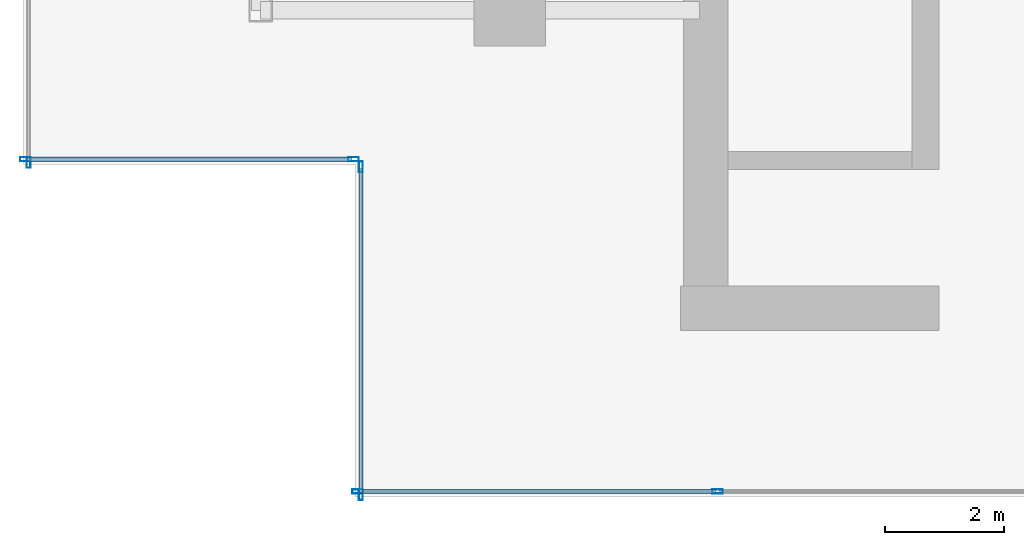
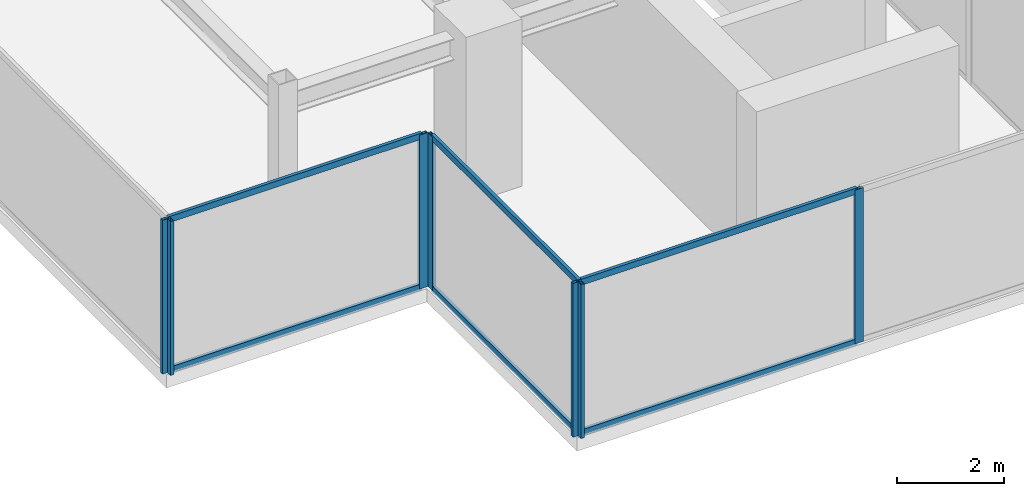
# One storey, part 2 of 25: 13 members, 4 elements without a shape of their own.
"""IFC4 building model written with IfcOpenShell, lengths in metres."""

from ifc_helpers import new_model, si_unit, direction, frame, origin, origin_2d, place, context, subcontext, project, spatial, hollow_rectangle, extrude, source, transform, mapped, material, material_profile, profile_set, type_object, type_shapes, element, aggregate, save


model = new_model("IFC4")

# Units and contexts
model_context = context("Model", 3, precision=1e-05, world=origin(), true_north=direction((0.0, 1.0)))
body_context = subcontext(model_context, "Body", "Model", "MODEL_VIEW")
ifc_project = project(units=[si_unit("LENGTHUNIT", "METRE"), si_unit("AREAUNIT", "SQUARE_METRE"), si_unit("VOLUMEUNIT", "CUBIC_METRE"), si_unit("PLANEANGLEUNIT", "RADIAN"), si_unit("MASSUNIT", "GRAM", prefix="KILO")], contexts=[model_context])

# Site, building, storey
site_placement = place(None, origin())
site = spatial("IfcSite", under=ifc_project, at=site_placement, CompositionType="ELEMENT")
building_placement = place(site_placement, origin())
building = spatial("IfcBuilding", under=site, at=building_placement, Name="Krantzveldt Concourse Tower", CompositionType="ELEMENT")
storey_placement = place(building_placement, frame((0.0, 0.0, 367.050048828125)))
storey = spatial("IfcBuildingStorey", under=building, at=storey_placement, Name="L90", CompositionType="ELEMENT", Elevation=367.050048828125)

# Curtain wall, members
ifc_material = material(Name="Anodised aluminium 6063-T6", Category="aluminium")
curtain_wall_type = type_object("IfcCurtainWallType", Name="CW7", PredefinedType="USERDEFINED", material=ifc_material)
curtain_wall_1_placement = place(storey_placement, origin())
curtain_wall_1 = element("IfcCurtainWall", 1, at=curtain_wall_1_placement, inside=storey, type_object=curtain_wall_type, Name="CW-L90-WEST-00", ObjectType="UNITISED CURTAIN WALL", PredefinedType="USERDEFINED")
ifc_material_profile_1 = material_profile(ifc_material, hollow_rectangle(XDim=0.070068359375, YDim=0.179931640625, WallThickness=0.0048828125, at=origin_2d()), Name="Anodised aluminium 6063-T6", Category="aluminium")
ifc_profile_set_1 = profile_set([ifc_material_profile_1], Name="Anodised aluminium 6063-T6 - ALU-MULL 180x70x5")
member_type_1 = type_object("IfcMemberType", Name="CW-MUL-180", PredefinedType="MULLION", material=ifc_profile_set_1)
shared_shape_1 = source(origin(), body_context, "Body", "SweptSolid", [
    extrude(hollow_rectangle(XDim=0.070068359375, YDim=0.179931640625, WallThickness=0.0048828125, at=origin_2d()), origin(), (0.0, 0.0, 1.0), 3.5),
])
type_shapes(member_type_1, [shared_shape_1])
member_1_placement = place(storey_placement, frame((22.635009765625, 7.7900390625, 0.0), z_axis=(0.0, 0.0, 1.0), x_axis=(0.0, 1.0, 0.0)))
member_1 = element("IfcMember", 2, at=member_1_placement, type_object=member_type_1, Name="CW-CRN mullion 1", PredefinedType="MULLION", context=body_context, shape_type="MappedRepresentation", body=[
    mapped(shared_shape_1, transform((0.0, 0.0, 0.0), x_axis=(1.0, 0.0, 0.0), y_axis=(0.0, 1.0, 0.0), z_axis=(0.0, 0.0, 1.0), scale=1.0)),
])
member_2_placement = place(storey_placement, frame((28.699951171875, 7.7900390625, 0.0), z_axis=(0.0, 0.0, 1.0), x_axis=(0.0, 1.0, 0.0)))
member_2 = element("IfcMember", 3, at=member_2_placement, type_object=member_type_1, Name="CW-CRN mullion 2", PredefinedType="MULLION", context=body_context, shape_type="MappedRepresentation", body=[
    mapped(shared_shape_1, transform((0.0, 0.0, 0.0), x_axis=(1.0, 0.0, 0.0), y_axis=(0.0, 1.0, 0.0), z_axis=(0.0, 0.0, 1.0), scale=1.0)),
])

# Curtain wall, member
curtain_wall_2_placement = place(storey_placement, origin())
curtain_wall_2 = element("IfcCurtainWall", 4, at=curtain_wall_2_placement, inside=storey, type_object=curtain_wall_type, Name="CW-L90-WEST-05", ObjectType="UNITISED CURTAIN WALL", PredefinedType="USERDEFINED")
member_3_placement = place(storey_placement, frame((17.090087890625, 13.3349609375, 0.0), z_axis=(0.0, 0.0, 1.0), x_axis=(1.0, 0.0, 0.0)))
member_3 = element("IfcMember", 5, at=member_3_placement, type_object=member_type_1, Name="CW-CRN mullion 5", PredefinedType="MULLION", context=body_context, shape_type="MappedRepresentation", body=[
    mapped(shared_shape_1, transform((0.0, 0.0, 0.0), x_axis=(1.0, 0.0, 0.0), y_axis=(0.0, 1.0, 0.0), z_axis=(0.0, 0.0, 1.0), scale=1.0)),
])
aggregate(curtain_wall_2, [member_3])

# Curtain wall, members
curtain_wall_3_placement = place(storey_placement, origin())
curtain_wall_3 = element("IfcCurtainWall", 6, at=curtain_wall_3_placement, inside=storey, type_object=curtain_wall_type, Name="CW-L90-WEST-06", ObjectType="UNITISED CURTAIN WALL", PredefinedType="USERDEFINED")
member_4_placement = place(storey_placement, frame((17.034912109375, 13.389892578125, 0.0), z_axis=(0.0, 0.0, 1.0), x_axis=(0.0, 1.0, 0.0)))
member_4 = element("IfcMember", 7, at=member_4_placement, type_object=member_type_1, Name="CW-CRN mullion 1", PredefinedType="MULLION", context=body_context, shape_type="MappedRepresentation", body=[
    mapped(shared_shape_1, transform((0.0, 0.0, 0.0), x_axis=(1.0, 0.0, 0.0), y_axis=(0.0, 1.0, 0.0), z_axis=(0.0, 0.0, 1.0), scale=1.0)),
])
member_5_placement = place(storey_placement, frame((22.56494140625, 13.389892578125, 0.0), z_axis=(0.0, 0.0, 1.0), x_axis=(0.0, 1.0, 0.0)))
member_5 = element("IfcMember", 8, at=member_5_placement, type_object=member_type_1, Name="CW-CRN mullion 2", PredefinedType="MULLION", context=body_context, shape_type="MappedRepresentation", body=[
    mapped(shared_shape_1, transform((0.0, 0.0, 0.0), x_axis=(1.0, 0.0, 0.0), y_axis=(0.0, 1.0, 0.0), z_axis=(0.0, 0.0, 1.0), scale=1.0)),
])

curtain_wall_4_placement = place(storey_placement, origin())
curtain_wall_4 = element("IfcCurtainWall", 9, at=curtain_wall_4_placement, inside=storey, type_object=curtain_wall_type, Name="CW-L90-WEST-07", ObjectType="UNITISED CURTAIN WALL", PredefinedType="USERDEFINED")
member_6_placement = place(storey_placement, frame((22.68994140625, 13.264892578125, 0.0), z_axis=(0.0, 0.0, 1.0), x_axis=(1.0, 0.0, 0.0)))
member_6 = element("IfcMember", 10, at=member_6_placement, type_object=member_type_1, Name="CW-CRN mullion 1", PredefinedType="MULLION", context=body_context, shape_type="MappedRepresentation", body=[
    mapped(shared_shape_1, transform((0.0, 0.0, 0.0), x_axis=(1.0, 0.0, 0.0), y_axis=(0.0, 1.0, 0.0), z_axis=(0.0, 0.0, 1.0), scale=1.0)),
])
member_7_placement = place(storey_placement, frame((22.68994140625, 7.735107421875, 0.0), z_axis=(0.0, 0.0, 1.0), x_axis=(1.0, 0.0, 0.0)))
member_7 = element("IfcMember", 11, at=member_7_placement, type_object=member_type_1, Name="CW-CRN mullion 2", PredefinedType="MULLION", context=body_context, shape_type="MappedRepresentation", body=[
    mapped(shared_shape_1, transform((0.0, 0.0, 0.0), x_axis=(1.0, 0.0, 0.0), y_axis=(0.0, 1.0, 0.0), z_axis=(0.0, 0.0, 1.0), scale=1.0)),
])

# Member
ifc_material_profile_2 = material_profile(ifc_material, hollow_rectangle(XDim=0.070068359375, YDim=0.139892578125, WallThickness=0.0048828125, at=origin_2d()), Name="Anodised aluminium 6063-T6", Category="aluminium")
ifc_profile_set_2 = profile_set([ifc_material_profile_2], Name="Anodised aluminium 6063-T6 - ALU-TRAN 140x70x5")
member_type_2 = type_object("IfcMemberType", Name="CW-TRN-150", PredefinedType="USERDEFINED", material=ifc_profile_set_2)
shared_shape_2 = source(origin(), body_context, "Body", "SweptSolid", [
    extrude(hollow_rectangle(XDim=0.070068359375, YDim=0.139892578125, WallThickness=0.0048828125, at=origin_2d()), origin(), (0.0, 0.0, 1.0), 5.4599609375),
])
member_8_placement = place(storey_placement, frame((17.070068359375, 13.389892578125, 0.034912109375), z_axis=(1.0, 0.0, 0.0), x_axis=(0.0, 1.0, 0.0)))
member_8 = element("IfcMember", 12, at=member_8_placement, type_object=member_type_2, Name="CW-CRN transom 1.1", ObjectType="TRANSOM", PredefinedType="USERDEFINED", context=body_context, shape_type="MappedRepresentation", body=[
    mapped(shared_shape_2, transform((0.0, 0.0, 0.0), x_axis=(1.0, 0.0, 0.0), y_axis=(0.0, 1.0, 0.0), z_axis=(0.0, 0.0, 1.0), scale=1.0)),
])

member_9_placement = place(storey_placement, frame((17.070068359375, 13.389892578125, 3.46484375), z_axis=(1.0, 0.0, 0.0), x_axis=(0.0, 1.0, 0.0)))
member_9 = element("IfcMember", 13, at=member_9_placement, type_object=member_type_2, Name="CW-CRN transom 1.2", ObjectType="TRANSOM", PredefinedType="USERDEFINED", context=body_context, shape_type="MappedRepresentation", body=[
    mapped(shared_shape_2, transform((0.0, 0.0, 0.0), x_axis=(1.0, 0.0, 0.0), y_axis=(0.0, 1.0, 0.0), z_axis=(0.0, 0.0, 1.0), scale=1.0)),
])

aggregate(curtain_wall_3, [member_4, member_5, member_8, member_9])

member_10_placement = place(storey_placement, frame((22.68994140625, 13.22998046875, 0.034912109375), z_axis=(0.0, -1.0, 0.0), x_axis=(1.0, 0.0, 0.0)))
member_10 = element("IfcMember", 14, at=member_10_placement, type_object=member_type_2, Name="CW-CRN transom 1.1", ObjectType="TRANSOM", PredefinedType="USERDEFINED", context=body_context, shape_type="MappedRepresentation", body=[
    mapped(shared_shape_2, transform((0.0, 0.0, 0.0), x_axis=(1.0, 0.0, 0.0), y_axis=(0.0, 1.0, 0.0), z_axis=(0.0, 0.0, 1.0), scale=1.0)),
])

member_11_placement = place(storey_placement, frame((22.68994140625, 13.22998046875, 3.46484375), z_axis=(0.0, -1.0, 0.0), x_axis=(1.0, 0.0, 0.0)))
member_11 = element("IfcMember", 15, at=member_11_placement, type_object=member_type_2, Name="CW-CRN transom 1.2", ObjectType="TRANSOM", PredefinedType="USERDEFINED", context=body_context, shape_type="MappedRepresentation", body=[
    mapped(shared_shape_2, transform((0.0, 0.0, 0.0), x_axis=(1.0, 0.0, 0.0), y_axis=(0.0, 1.0, 0.0), z_axis=(0.0, 0.0, 1.0), scale=1.0)),
])

aggregate(curtain_wall_4, [member_6, member_7, member_10, member_11])

shared_shape_3 = source(origin(), body_context, "Body", "SweptSolid", [
    extrude(hollow_rectangle(XDim=0.070068359375, YDim=0.139892578125, WallThickness=0.0048828125, at=origin_2d()), origin(), (0.0, 0.0, 1.0), 5.9951171875),
])
type_shapes(member_type_2, [shared_shape_2, shared_shape_3])
member_12_placement = place(storey_placement, frame((22.669921875, 7.7900390625, 0.034912109375), z_axis=(1.0, 0.0, 0.0), x_axis=(0.0, 1.0, 0.0)))
member_12 = element("IfcMember", 16, at=member_12_placement, type_object=member_type_2, Name="CW-CRN transom 1.1", ObjectType="TRANSOM", PredefinedType="USERDEFINED", context=body_context, shape_type="MappedRepresentation", body=[
    mapped(shared_shape_3, transform((0.0, 0.0, 0.0), x_axis=(1.0, 0.0, 0.0), y_axis=(0.0, 1.0, 0.0), z_axis=(0.0, 0.0, 1.0), scale=1.0)),
])

member_13_placement = place(storey_placement, frame((22.669921875, 7.7900390625, 3.46484375), z_axis=(1.0, 0.0, 0.0), x_axis=(0.0, 1.0, 0.0)))
member_13 = element("IfcMember", 17, at=member_13_placement, type_object=member_type_2, Name="CW-CRN transom 1.2", ObjectType="TRANSOM", PredefinedType="USERDEFINED", context=body_context, shape_type="MappedRepresentation", body=[
    mapped(shared_shape_3, transform((0.0, 0.0, 0.0), x_axis=(1.0, 0.0, 0.0), y_axis=(0.0, 1.0, 0.0), z_axis=(0.0, 0.0, 1.0), scale=1.0)),
])

aggregate(curtain_wall_1, [member_1, member_2, member_12, member_13])

save(model, "model.ifc")
